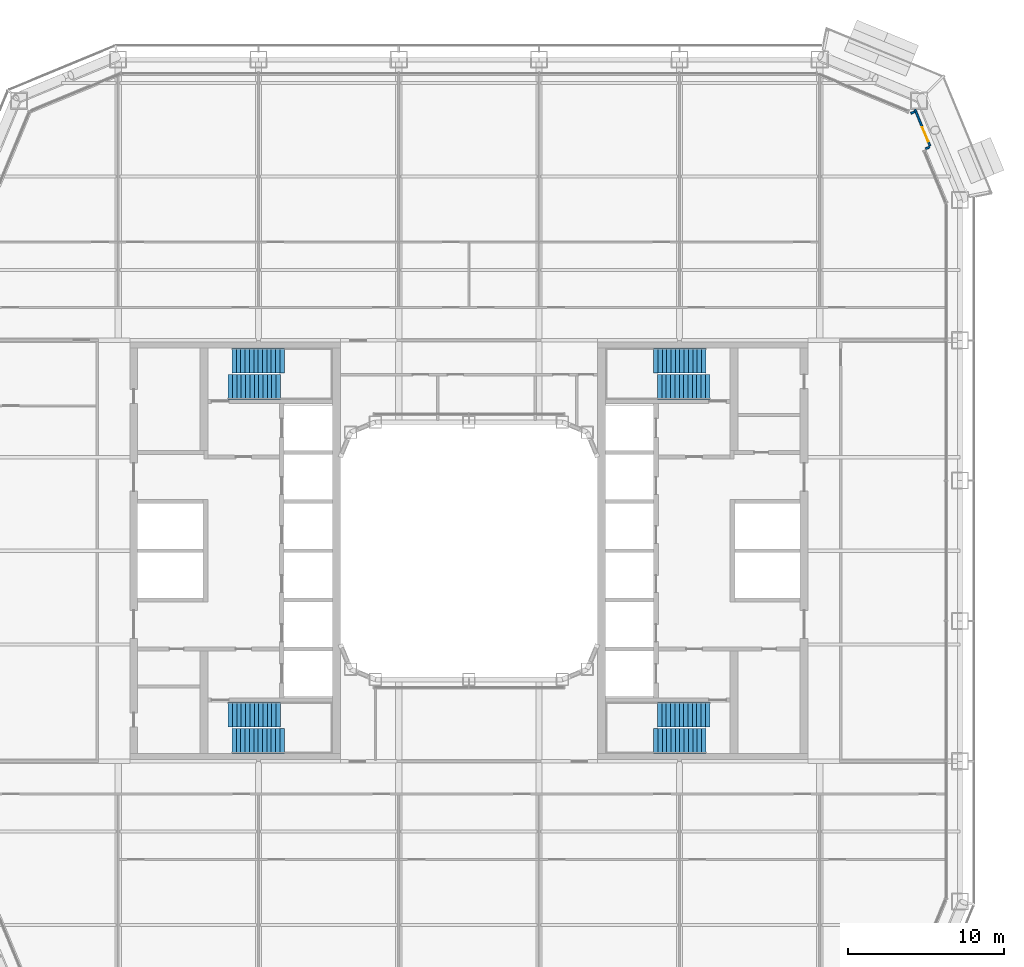
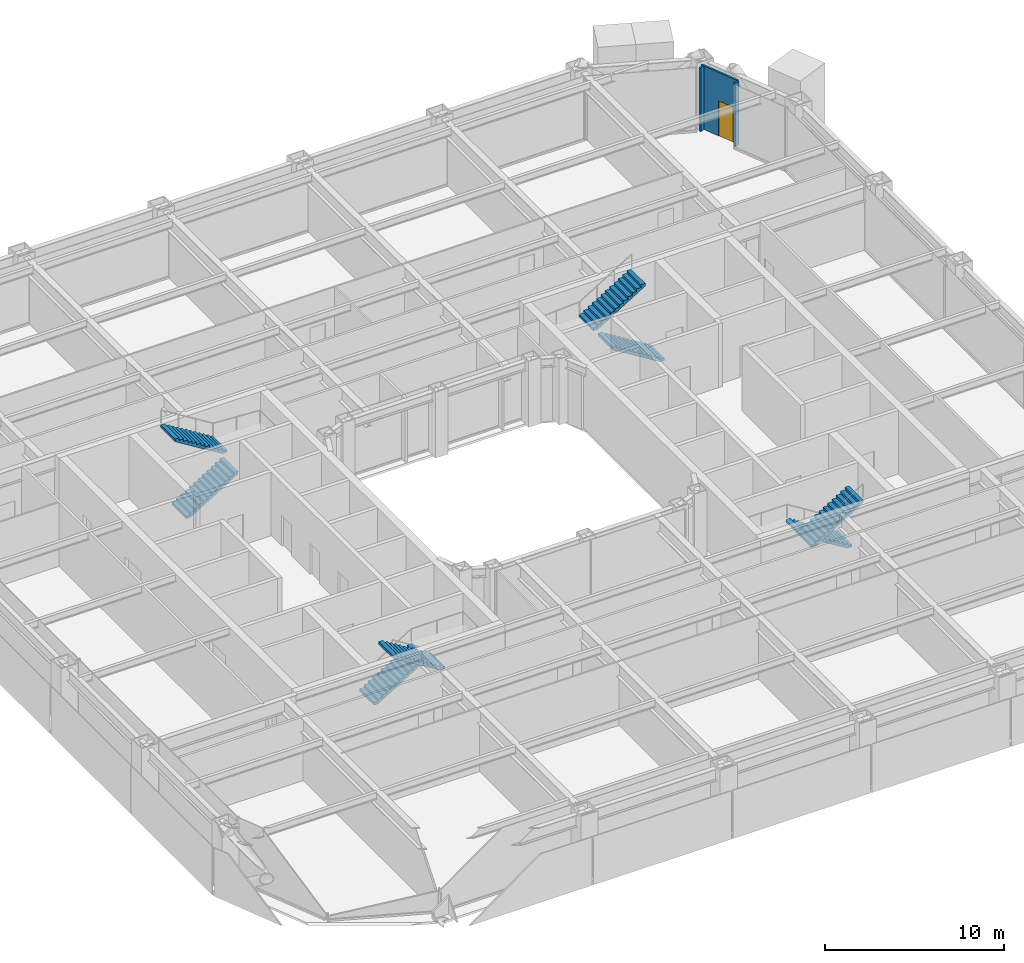
# One storey, part 17 of 30: 8 stair flights, 3 walls, 1 door, 1 opening, 4 elements without a shape of their own.
"""IFC4 building model written with IfcOpenShell, lengths in metres."""

from ifc_helpers import new_model, si_unit, direction, frame, frame_2d, origin, place, context, subcontext, project, spatial, polyline, rectangle, outline, extrude, material, layer, layer_set, type_object, element, fill, aggregate, save


model = new_model("IFC4")

# Units and contexts
model_context = context("Model", 3, precision=1e-05, world=origin(), true_north=direction((0.0, 1.0)))
body_context = subcontext(model_context, "Body", "Model", "MODEL_VIEW")
ifc_project = project(units=[si_unit("LENGTHUNIT", "METRE"), si_unit("AREAUNIT", "SQUARE_METRE"), si_unit("VOLUMEUNIT", "CUBIC_METRE"), si_unit("PLANEANGLEUNIT", "RADIAN"), si_unit("MASSUNIT", "GRAM", prefix="KILO")], contexts=[model_context])

# Site, building, storey
site_placement = place(None, origin())
site = spatial("IfcSite", under=ifc_project, at=site_placement, CompositionType="ELEMENT")
building_placement = place(site_placement, origin())
building = spatial("IfcBuilding", under=site, at=building_placement, Name="Siwar Civic Tower", CompositionType="ELEMENT")
storey_placement = place(building_placement, frame((0.0, 0.0, 26.699951171875)))
storey = spatial("IfcBuildingStorey", under=building, at=storey_placement, Name="L05", CompositionType="ELEMENT", Elevation=26.699951171875)

# Walls
ifc_material_1 = material(Name="Aluminium clad insulated panel", Category="aluminium")
ifc_layer = layer(ifc_material_1, 0.1201171875)
ifc_layer_set = layer_set([ifc_layer], Name="Aluminium clad insulated panel")
wall_type = type_object("IfcWallType", Name="ENV-WALL-BAL", PredefinedType="STANDARD", material=ifc_layer_set)
wall_1_placement = place(storey_placement, frame((29.284912109375, 25.783447265625, 0.0), z_axis=(0.0, 0.0, 1.0), x_axis=(0.923772220778, 0.382942403136, 0.0)))
element("IfcWall", 1, at=wall_1_placement, inside=storey, type_object=wall_type, Name="Balcony door wall return NE1", PredefinedType="STANDARD", context=body_context, shape_type="SweptSolid", body=[
    extrude(rectangle(XDim=0.27978515625, YDim=0.1201171875, at=frame_2d((0.139892578125, 0.0))), origin(), (0.0, 0.0, 1.0), 4.35009765625),
])
wall_2_placement = place(storey_placement, frame((28.3427734375, 28.057861328125, 0.0), z_axis=(0.0, 0.0, 1.0), x_axis=(0.923899985553, 0.382634050621, 0.0)))
element("IfcWall", 2, at=wall_2_placement, inside=storey, type_object=wall_type, Name="Balcony door wall return NE1", PredefinedType="STANDARD", context=body_context, shape_type="SweptSolid", body=[
    extrude(rectangle(XDim=0.280029296875, YDim=0.1201171875, at=frame_2d((0.14013671875, 0.0))), origin(), (0.0, 0.0, 1.0), 4.35009765625),
])

# Wall, opening, door
wall_3_placement = place(storey_placement, frame((29.575927734375, 25.968994140625, 0.0), z_axis=(0.0, 0.0, 1.0), x_axis=(-0.382640634603, 0.923897258763, 0.0)))
wall_3 = element("IfcWall", 3, at=wall_3_placement, inside=storey, type_object=wall_type, Name="Balcony door wall NE1", PredefinedType="STANDARD", context=body_context, shape_type="SweptSolid", body=[
    extrude(rectangle(XDim=2.5380859375, YDim=0.1201171875, at=frame_2d((1.26904296875, 0.0))), origin(), (0.0, 0.0, 1.0), 4.35009765625),
])
opening_placement = place(wall_3_placement, frame((0.300048828125, 0.0, 0.0)))
opening = element("IfcOpeningElement", 4, at=opening_placement, cuts=wall_3, Name="Opening D-BAL", PredefinedType="OPENING", context=body_context, shape_type="SweptSolid", body=[
    extrude(rectangle(XDim=1.0, YDim=2.39990234375, at=frame_2d((0.5, 1.199951171875))), frame((0.0, 0.070068359375, 0.0), z_axis=(0.0, -1.0, 0.0), x_axis=(1.0, 0.0, 0.0)), (0.0, 0.0, 1.0), 0.14013671875),
])
ifc_material_2 = material(Name="Aluminium and glass", Category="aluminium")
door_type = type_object("IfcDoorType", Name="ENV-DOOR-BAL", OperationType="SINGLE_SWING_LEFT", PredefinedType="DOOR", material=ifc_material_2)
door_placement = place(opening_placement, origin())
door = element("IfcDoor", 5, at=door_placement, inside=storey, type_object=door_type, Name="Balcony door NE", OperationType="SINGLE_SWING_LEFT", OverallHeight=2.39990234375, OverallWidth=1.0, PredefinedType="DOOR", context=body_context, shape_type="SweptSolid", body=[
    extrude(rectangle(XDim=1.0, YDim=2.39990234375, at=frame_2d((0.5, 1.199951171875))), frame((0.0, 0.02490234375, 0.0), z_axis=(0.0, -1.0, 0.0), x_axis=(1.0, 0.0, 0.0)), (0.0, 0.0, 1.0), 0.050048828125),
])
fill(opening, door)

# Stair, stair flights
ifc_material_3 = material(Name="Concrete C40/50", Category="concrete")
stair_type = type_object("IfcStairType", Name="CORE-STAIR", PredefinedType="TWO_STRAIGHT_RUN_STAIR", material=ifc_material_3)
stair_1_placement = place(storey_placement, origin())
stair_1 = element("IfcStair", 6, at=stair_1_placement, inside=storey, type_object=stair_type, Name="Exit stair ST1", PredefinedType="TWO_STRAIGHT_RUN_STAIR")
ifc_material_4 = material(Name="Concrete C40/50", Category="concrete")
stair_flight_type = type_object("IfcStairFlightType", Name="CORE-STAIR-FLIGHT", PredefinedType="STRAIGHT", material=ifc_material_4)
stair_flight_1_placement = place(storey_placement, frame((-15.449951171875, 10.5, 0.0), z_axis=(0.0, 0.0, 1.0), x_axis=(1.0, 0.0, 0.0)))
stair_flight_1 = element("IfcStairFlight", 7, at=stair_flight_1_placement, type_object=stair_flight_type, Name="ST1 flight 1", NumberOfRisers=13, NumberOfTreads=12, PredefinedType="STRAIGHT", RiserHeight=0.173076923, TreadLength=0.28, context=body_context, shape_type="SweptSolid", body=[
    extrude(outline(polyline([(0.0, 0.0), (0.0, 0.173095703125), (0.280029296875, 0.173095703125), (0.280029296875, 0.34619140625), (0.56005859375, 0.34619140625), (0.56005859375, 0.519287109375), (0.840087890625, 0.519287109375), (0.840087890625, 0.6923828125), (1.1201171875, 0.6923828125), (1.1201171875, 0.865478515625), (1.39990234375, 0.865478515625), (1.39990234375, 1.03857421875), (1.679931640625, 1.03857421875), (1.679931640625, 1.21142578125), (1.9599609375, 1.21142578125), (1.9599609375, 1.384521484375), (2.239990234375, 1.384521484375), (2.239990234375, 1.5576171875), (2.52001953125, 1.5576171875), (2.52001953125, 1.730712890625), (2.800048828125, 1.730712890625), (2.800048828125, 1.90380859375), (3.080078125, 1.90380859375), (3.080078125, 2.076904296875), (3.360107421875, 2.076904296875), (3.360107421875, 2.25), (3.360107421875, 1.900634765625), (0.28515625, 0.0), (0.0, 0.0)])), frame((0.0, 0.800048828125, 0.0), z_axis=(0.0, -1.0, 0.0), x_axis=(1.0, 0.0, 0.0)), (0.0, 0.0, 1.0), 1.60009765625),
])
stair_flight_2_placement = place(storey_placement, frame((-11.840087890625, 12.199951171875, 2.25), z_axis=(0.0, 0.0, 1.0), x_axis=(-1.0, 0.0, 0.0)))
stair_flight_2 = element("IfcStairFlight", 8, at=stair_flight_2_placement, type_object=stair_flight_type, Name="ST1 flight 2", NumberOfRisers=13, NumberOfTreads=12, PredefinedType="STRAIGHT", RiserHeight=0.173076923, TreadLength=0.28, context=body_context, shape_type="SweptSolid", body=[
    extrude(outline(polyline([(0.0, 0.0), (0.0, 0.173095703125), (0.280029296875, 0.173095703125), (0.280029296875, 0.34619140625), (0.56005859375, 0.34619140625), (0.56005859375, 0.519287109375), (0.840087890625, 0.519287109375), (0.840087890625, 0.6923828125), (1.1201171875, 0.6923828125), (1.1201171875, 0.865478515625), (1.39990234375, 0.865478515625), (1.39990234375, 1.03857421875), (1.679931640625, 1.03857421875), (1.679931640625, 1.21142578125), (1.9599609375, 1.21142578125), (1.9599609375, 1.384521484375), (2.239990234375, 1.384521484375), (2.239990234375, 1.5576171875), (2.52001953125, 1.5576171875), (2.52001953125, 1.730712890625), (2.800048828125, 1.730712890625), (2.800048828125, 1.90380859375), (3.080078125, 1.90380859375), (3.080078125, 2.076904296875), (3.360107421875, 2.076904296875), (3.360107421875, 2.25), (3.360107421875, 1.900634765625), (0.28515625, 0.0), (0.0, 0.0)])), frame((0.0, 0.800048828125, 0.0), z_axis=(0.0, -1.0, 0.0), x_axis=(1.0, 0.0, 0.0)), (0.0, 0.0, 1.0), 1.60009765625),
])
aggregate(stair_1, [stair_flight_1, stair_flight_2])

stair_2_placement = place(storey_placement, origin())
stair_2 = element("IfcStair", 9, at=stair_2_placement, inside=storey, type_object=stair_type, Name="Exit stair ST2", PredefinedType="TWO_STRAIGHT_RUN_STAIR")
stair_flight_3_placement = place(storey_placement, frame((-15.449951171875, -10.5, 0.0), z_axis=(0.0, 0.0, 1.0), x_axis=(1.0, 0.0, 0.0)))
stair_flight_3 = element("IfcStairFlight", 10, at=stair_flight_3_placement, type_object=stair_flight_type, Name="ST2 flight 1", NumberOfRisers=13, NumberOfTreads=12, PredefinedType="STRAIGHT", RiserHeight=0.173076923, TreadLength=0.28, context=body_context, shape_type="SweptSolid", body=[
    extrude(outline(polyline([(0.0, 0.0), (0.0, 0.173095703125), (0.280029296875, 0.173095703125), (0.280029296875, 0.34619140625), (0.56005859375, 0.34619140625), (0.56005859375, 0.519287109375), (0.840087890625, 0.519287109375), (0.840087890625, 0.6923828125), (1.1201171875, 0.6923828125), (1.1201171875, 0.865478515625), (1.39990234375, 0.865478515625), (1.39990234375, 1.03857421875), (1.679931640625, 1.03857421875), (1.679931640625, 1.21142578125), (1.9599609375, 1.21142578125), (1.9599609375, 1.384521484375), (2.239990234375, 1.384521484375), (2.239990234375, 1.5576171875), (2.52001953125, 1.5576171875), (2.52001953125, 1.730712890625), (2.800048828125, 1.730712890625), (2.800048828125, 1.90380859375), (3.080078125, 1.90380859375), (3.080078125, 2.076904296875), (3.360107421875, 2.076904296875), (3.360107421875, 2.25), (3.360107421875, 1.900634765625), (0.28515625, 0.0), (0.0, 0.0)])), frame((0.0, 0.800048828125, 0.0), z_axis=(0.0, -1.0, 0.0), x_axis=(1.0, 0.0, 0.0)), (0.0, 0.0, 1.0), 1.60009765625),
])
stair_flight_4_placement = place(storey_placement, frame((-11.840087890625, -12.199951171875, 2.25), z_axis=(0.0, 0.0, 1.0), x_axis=(-1.0, 0.0, 0.0)))
stair_flight_4 = element("IfcStairFlight", 11, at=stair_flight_4_placement, type_object=stair_flight_type, Name="ST2 flight 2", NumberOfRisers=13, NumberOfTreads=12, PredefinedType="STRAIGHT", RiserHeight=0.173076923, TreadLength=0.28, context=body_context, shape_type="SweptSolid", body=[
    extrude(outline(polyline([(0.0, 0.0), (0.0, 0.173095703125), (0.280029296875, 0.173095703125), (0.280029296875, 0.34619140625), (0.56005859375, 0.34619140625), (0.56005859375, 0.519287109375), (0.840087890625, 0.519287109375), (0.840087890625, 0.6923828125), (1.1201171875, 0.6923828125), (1.1201171875, 0.865478515625), (1.39990234375, 0.865478515625), (1.39990234375, 1.03857421875), (1.679931640625, 1.03857421875), (1.679931640625, 1.21142578125), (1.9599609375, 1.21142578125), (1.9599609375, 1.384521484375), (2.239990234375, 1.384521484375), (2.239990234375, 1.5576171875), (2.52001953125, 1.5576171875), (2.52001953125, 1.730712890625), (2.800048828125, 1.730712890625), (2.800048828125, 1.90380859375), (3.080078125, 1.90380859375), (3.080078125, 2.076904296875), (3.360107421875, 2.076904296875), (3.360107421875, 2.25), (3.360107421875, 1.900634765625), (0.28515625, 0.0), (0.0, 0.0)])), frame((0.0, 0.800048828125, 0.0), z_axis=(0.0, -1.0, 0.0), x_axis=(1.0, 0.0, 0.0)), (0.0, 0.0, 1.0), 1.60009765625),
])
aggregate(stair_2, [stair_flight_3, stair_flight_4])

stair_3_placement = place(storey_placement, origin())
stair_3 = element("IfcStair", 12, at=stair_3_placement, inside=storey, type_object=stair_type, Name="Exit stair ST3", PredefinedType="TWO_STRAIGHT_RUN_STAIR")
stair_flight_5_placement = place(storey_placement, frame((15.449951171875, 10.5, 0.0), z_axis=(0.0, 0.0, 1.0), x_axis=(-1.0, 0.0, 0.0)))
stair_flight_5 = element("IfcStairFlight", 13, at=stair_flight_5_placement, type_object=stair_flight_type, Name="ST3 flight 1", NumberOfRisers=13, NumberOfTreads=12, PredefinedType="STRAIGHT", RiserHeight=0.173076923, TreadLength=0.28, context=body_context, shape_type="SweptSolid", body=[
    extrude(outline(polyline([(0.0, 0.0), (0.0, 0.173095703125), (0.280029296875, 0.173095703125), (0.280029296875, 0.34619140625), (0.56005859375, 0.34619140625), (0.56005859375, 0.519287109375), (0.840087890625, 0.519287109375), (0.840087890625, 0.6923828125), (1.1201171875, 0.6923828125), (1.1201171875, 0.865478515625), (1.39990234375, 0.865478515625), (1.39990234375, 1.03857421875), (1.679931640625, 1.03857421875), (1.679931640625, 1.21142578125), (1.9599609375, 1.21142578125), (1.9599609375, 1.384521484375), (2.239990234375, 1.384521484375), (2.239990234375, 1.5576171875), (2.52001953125, 1.5576171875), (2.52001953125, 1.730712890625), (2.800048828125, 1.730712890625), (2.800048828125, 1.90380859375), (3.080078125, 1.90380859375), (3.080078125, 2.076904296875), (3.360107421875, 2.076904296875), (3.360107421875, 2.25), (3.360107421875, 1.900634765625), (0.28515625, 0.0), (0.0, 0.0)])), frame((0.0, 0.800048828125, 0.0), z_axis=(0.0, -1.0, 0.0), x_axis=(1.0, 0.0, 0.0)), (0.0, 0.0, 1.0), 1.60009765625),
])
stair_flight_6_placement = place(storey_placement, frame((11.840087890625, 12.199951171875, 2.25), z_axis=(0.0, 0.0, 1.0), x_axis=(1.0, 0.0, 0.0)))
stair_flight_6 = element("IfcStairFlight", 14, at=stair_flight_6_placement, type_object=stair_flight_type, Name="ST3 flight 2", NumberOfRisers=13, NumberOfTreads=12, PredefinedType="STRAIGHT", RiserHeight=0.173076923, TreadLength=0.28, context=body_context, shape_type="SweptSolid", body=[
    extrude(outline(polyline([(0.0, 0.0), (0.0, 0.173095703125), (0.280029296875, 0.173095703125), (0.280029296875, 0.34619140625), (0.56005859375, 0.34619140625), (0.56005859375, 0.519287109375), (0.840087890625, 0.519287109375), (0.840087890625, 0.6923828125), (1.1201171875, 0.6923828125), (1.1201171875, 0.865478515625), (1.39990234375, 0.865478515625), (1.39990234375, 1.03857421875), (1.679931640625, 1.03857421875), (1.679931640625, 1.21142578125), (1.9599609375, 1.21142578125), (1.9599609375, 1.384521484375), (2.239990234375, 1.384521484375), (2.239990234375, 1.5576171875), (2.52001953125, 1.5576171875), (2.52001953125, 1.730712890625), (2.800048828125, 1.730712890625), (2.800048828125, 1.90380859375), (3.080078125, 1.90380859375), (3.080078125, 2.076904296875), (3.360107421875, 2.076904296875), (3.360107421875, 2.25), (3.360107421875, 1.900634765625), (0.28515625, 0.0), (0.0, 0.0)])), frame((0.0, 0.800048828125, 0.0), z_axis=(0.0, -1.0, 0.0), x_axis=(1.0, 0.0, 0.0)), (0.0, 0.0, 1.0), 1.60009765625),
])
aggregate(stair_3, [stair_flight_5, stair_flight_6])

stair_4_placement = place(storey_placement, origin())
stair_4 = element("IfcStair", 15, at=stair_4_placement, inside=storey, type_object=stair_type, Name="Exit stair ST4", PredefinedType="TWO_STRAIGHT_RUN_STAIR")
stair_flight_7_placement = place(storey_placement, frame((15.449951171875, -10.5, 0.0), z_axis=(0.0, 0.0, 1.0), x_axis=(-1.0, 0.0, 0.0)))
stair_flight_7 = element("IfcStairFlight", 16, at=stair_flight_7_placement, type_object=stair_flight_type, Name="ST4 flight 1", NumberOfRisers=13, NumberOfTreads=12, PredefinedType="STRAIGHT", RiserHeight=0.173076923, TreadLength=0.28, context=body_context, shape_type="SweptSolid", body=[
    extrude(outline(polyline([(0.0, 0.0), (0.0, 0.173095703125), (0.280029296875, 0.173095703125), (0.280029296875, 0.34619140625), (0.56005859375, 0.34619140625), (0.56005859375, 0.519287109375), (0.840087890625, 0.519287109375), (0.840087890625, 0.6923828125), (1.1201171875, 0.6923828125), (1.1201171875, 0.865478515625), (1.39990234375, 0.865478515625), (1.39990234375, 1.03857421875), (1.679931640625, 1.03857421875), (1.679931640625, 1.21142578125), (1.9599609375, 1.21142578125), (1.9599609375, 1.384521484375), (2.239990234375, 1.384521484375), (2.239990234375, 1.5576171875), (2.52001953125, 1.5576171875), (2.52001953125, 1.730712890625), (2.800048828125, 1.730712890625), (2.800048828125, 1.90380859375), (3.080078125, 1.90380859375), (3.080078125, 2.076904296875), (3.360107421875, 2.076904296875), (3.360107421875, 2.25), (3.360107421875, 1.900634765625), (0.28515625, 0.0), (0.0, 0.0)])), frame((0.0, 0.800048828125, 0.0), z_axis=(0.0, -1.0, 0.0), x_axis=(1.0, 0.0, 0.0)), (0.0, 0.0, 1.0), 1.60009765625),
])
stair_flight_8_placement = place(storey_placement, frame((11.840087890625, -12.199951171875, 2.25), z_axis=(0.0, 0.0, 1.0), x_axis=(1.0, 0.0, 0.0)))
stair_flight_8 = element("IfcStairFlight", 17, at=stair_flight_8_placement, type_object=stair_flight_type, Name="ST4 flight 2", NumberOfRisers=13, NumberOfTreads=12, PredefinedType="STRAIGHT", RiserHeight=0.173076923, TreadLength=0.28, context=body_context, shape_type="SweptSolid", body=[
    extrude(outline(polyline([(0.0, 0.0), (0.0, 0.173095703125), (0.280029296875, 0.173095703125), (0.280029296875, 0.34619140625), (0.56005859375, 0.34619140625), (0.56005859375, 0.519287109375), (0.840087890625, 0.519287109375), (0.840087890625, 0.6923828125), (1.1201171875, 0.6923828125), (1.1201171875, 0.865478515625), (1.39990234375, 0.865478515625), (1.39990234375, 1.03857421875), (1.679931640625, 1.03857421875), (1.679931640625, 1.21142578125), (1.9599609375, 1.21142578125), (1.9599609375, 1.384521484375), (2.239990234375, 1.384521484375), (2.239990234375, 1.5576171875), (2.52001953125, 1.5576171875), (2.52001953125, 1.730712890625), (2.800048828125, 1.730712890625), (2.800048828125, 1.90380859375), (3.080078125, 1.90380859375), (3.080078125, 2.076904296875), (3.360107421875, 2.076904296875), (3.360107421875, 2.25), (3.360107421875, 1.900634765625), (0.28515625, 0.0), (0.0, 0.0)])), frame((0.0, 0.800048828125, 0.0), z_axis=(0.0, -1.0, 0.0), x_axis=(1.0, 0.0, 0.0)), (0.0, 0.0, 1.0), 1.60009765625),
])
aggregate(stair_4, [stair_flight_7, stair_flight_8])

save(model, "model.ifc")
